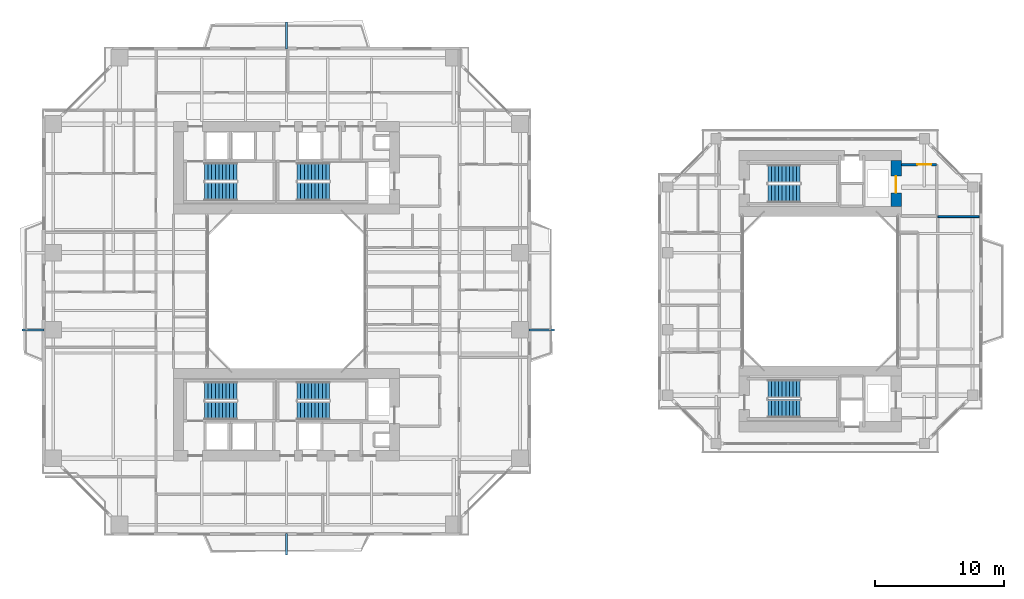
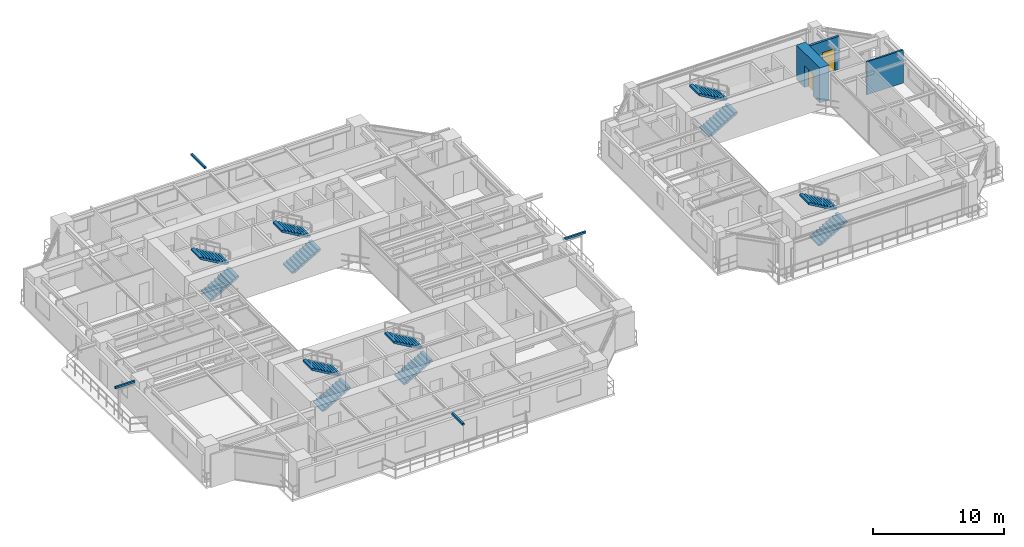
# One storey, part 19 of 23: 12 stair flights, 4 discrete accessories, 3 walls, 2 doors, 2 openings, 6 elements without a shape of their own.
"""IFC4 building model written with IfcOpenShell, lengths in metres."""

from ifc_helpers import new_model, si_unit, direction, frame, frame_2d, origin, origin_2d, place, context, subcontext, project, spatial, polyline, rectangle, outline, extrude, source, transform, mapped, material, layer, layer_set, type_object, element, fill, aggregate, save


model = new_model("IFC4")

# Units and contexts
model_context = context("Model", 3, precision=1e-05, world=origin(), true_north=direction((0.0, 1.0)))
body_context = subcontext(model_context, "Body", "Model", "MODEL_VIEW")
ifc_project = project(units=[si_unit("LENGTHUNIT", "METRE"), si_unit("AREAUNIT", "SQUARE_METRE"), si_unit("VOLUMEUNIT", "CUBIC_METRE"), si_unit("PLANEANGLEUNIT", "RADIAN"), si_unit("MASSUNIT", "GRAM", prefix="KILO"), si_unit("THERMODYNAMICTEMPERATUREUNIT", "KELVIN"), si_unit("POWERUNIT", "WATT")], contexts=[model_context])

# Site, building, storey
site_placement = place(None, origin())
site = spatial("IfcSite", under=ifc_project, at=site_placement, CompositionType="ELEMENT")
building_placement = place(site_placement, origin())
building = spatial("IfcBuilding", under=site, at=building_placement, Name="Qiaomeng Ring Towers", CompositionType="ELEMENT")
storey_placement = place(building_placement, frame((0.0, 0.0, 79.5)))
storey = spatial("IfcBuildingStorey", under=building, at=storey_placement, Name="L22", CompositionType="ELEMENT", Elevation=79.5)

# Wall, opening, door
ifc_material_1 = material(Name="Autoclaved aerated concrete block", Category="concrete")
ifc_layer_1 = layer(ifc_material_1, 0.199951171875, Name="Autoclaved aerated concrete block")
ifc_layer_set_1 = layer_set([ifc_layer_1], Name="Autoclaved aerated concrete block")
wall_type_1 = type_object("IfcWallType", Name="ARC-WL-PW1", PredefinedType="PARTITIONING", material=ifc_layer_set_1)
wall_1_placement = place(storey_placement, frame((66.800048828125, 32.85009765625, 0.0), z_axis=(0.0, 0.0, 1.0), x_axis=(1.0, 0.0, 0.0)))
wall_1 = element("IfcWall", 1, at=wall_1_placement, inside=storey, type_object=wall_type_1, Name="L22 Interior Wall PW1", PredefinedType="PARTITIONING", context=body_context, shape_type="SweptSolid", body=[
    extrude(rectangle(XDim=2.75, YDim=0.199951171875, at=frame_2d((1.375, 0.0))), origin(), (0.0, 0.0, 1.0), 3.070068359375),
])
opening_1_placement = place(wall_1_placement, frame((1.25, 0.0, 0.0)))
opening_1 = element("IfcOpeningElement", 2, at=opening_1_placement, cuts=wall_1, Name="Opening FD3", PredefinedType="OPENING", context=body_context, shape_type="SweptSolid", body=[
    extrude(rectangle(XDim=1.10009765625, YDim=2.050048828125, at=frame_2d((0.550048828125, 1.02490234375))), frame((0.0, 0.10986328125, 0.0), z_axis=(0.0, -1.0, 0.0), x_axis=(1.0, 0.0, 0.0)), (0.0, 0.0, 1.0), 0.219970703125),
])
ifc_material_2 = material(Name="Galvanised steel", Category="steel")
door_type_1 = type_object("IfcDoorType", Name="ARC-DR-FD3", OperationType="NOTDEFINED", PredefinedType="DOOR", material=ifc_material_2)
shared_shape_1 = source(origin(), body_context, "Body", "SweptSolid", [
    extrude(rectangle(XDim=1.10009765625, YDim=2.050048828125, at=frame_2d((0.550048828125, 1.02490234375))), frame((0.0, 0.02490234375, 0.0), z_axis=(0.0, -1.0, 0.0), x_axis=(1.0, 0.0, 0.0)), (0.0, 0.0, 1.0), 0.050048828125),
])
door_1_placement = place(opening_1_placement, origin())
door_1 = element("IfcDoor", 3, at=door_1_placement, inside=storey, type_object=door_type_1, Name="L22 Door FD3", OperationType="SINGLE_SWING_LEFT", OverallHeight=2.050048828125, OverallWidth=1.10009765625, PredefinedType="DOOR", context=body_context, shape_type="MappedRepresentation", body=[
    mapped(shared_shape_1, transform((0.0, 0.0, 0.0), x_axis=(1.0, 0.0, 0.0), y_axis=(0.0, 1.0, 0.0), z_axis=(0.0, 0.0, 1.0), scale=1.0)),
])
fill(opening_1, door_1)

# Wall
ifc_material_3 = material(Name="Gypsum fireboard steel-stud partition", Category="steel")
ifc_layer_2 = layer(ifc_material_3, 0.14990234375, Name="Gypsum fireboard steel-stud partition")
ifc_layer_set_2 = layer_set([ifc_layer_2], Name="Gypsum fireboard steel-stud partition")
wall_type_2 = type_object("IfcWallType", Name="ARC-WL-PW3", PredefinedType="PARTITIONING", material=ifc_layer_set_2)
wall_2_placement = place(storey_placement, frame((69.64990234375, 28.800048828125, 0.0), z_axis=(0.0, 0.0, 1.0), x_axis=(1.0, 0.0, 0.0)))
element("IfcWall", 4, at=wall_2_placement, inside=storey, type_object=wall_type_2, Name="L22 Interior Wall PW3", PredefinedType="PARTITIONING", context=body_context, shape_type="SweptSolid", body=[
    extrude(rectangle(XDim=3.2001953125, YDim=0.14990234375, at=frame_2d((1.60009765625, 0.0))), origin(), (0.0, 0.0, 1.0), 3.070068359375),
])

# Wall, opening, door
ifc_material_4 = material(Name="Concrete C60", Category="concrete")
ifc_layer_3 = layer(ifc_material_4, 0.800048828125, Name="Concrete C60")
ifc_layer_set_3 = layer_set([ifc_layer_3], Name="Concrete C60")
wall_type_3 = type_object("IfcWallType", Name="STR-WL-SW1", PredefinedType="SHEAR", material=ifc_layer_set_3)
wall_3_placement = place(storey_placement, frame((66.39990234375, 29.60009765625, 0.0), z_axis=(0.0, 0.0, 1.0), x_axis=(0.0, 1.0, 0.0)))
wall_3 = element("IfcWall", 5, at=wall_3_placement, inside=storey, type_object=wall_type_3, Name="L22 T2NC east core shear wall", PredefinedType="SHEAR", context=body_context, shape_type="SweptSolid", body=[
    extrude(rectangle(XDim=3.5498046875, YDim=0.800048828125, at=frame_2d((1.77490234375, 0.0))), origin(), (0.0, 0.0, 1.0), 3.25),
])
opening_2_placement = place(wall_3_placement, frame((1.050048828125, 0.0, 0.0)))
opening_2 = element("IfcOpeningElement", 6, at=opening_2_placement, cuts=wall_3, Name="Opening LD2", PredefinedType="OPENING", context=body_context, shape_type="SweptSolid", body=[
    extrude(rectangle(XDim=1.300048828125, YDim=2.050048828125, at=frame_2d((0.64990234375, 1.02490234375))), frame((0.0, 0.409912109375, 0.0), z_axis=(0.0, -1.0, 0.0), x_axis=(1.0, 0.0, 0.0)), (0.0, 0.0, 1.0), 0.820068359375),
])
ifc_material_5 = material(Name="Stainless steel 316", Category="steel")
door_type_2 = type_object("IfcDoorType", Name="ARC-DR-LD2", OperationType="NOTDEFINED", PredefinedType="DOOR", material=ifc_material_5)
shared_shape_2 = source(origin(), body_context, "Body", "SweptSolid", [
    extrude(rectangle(XDim=1.300048828125, YDim=2.050048828125, at=frame_2d((0.64990234375, 1.02490234375))), frame((0.0, 0.02490234375, 0.0), z_axis=(0.0, -1.0, 0.0), x_axis=(1.0, 0.0, 0.0)), (0.0, 0.0, 1.0), 0.050048828125),
])
door_2_placement = place(opening_2_placement, origin())
door_2 = element("IfcDoor", 7, at=door_2_placement, inside=storey, type_object=door_type_2, Name="L22 Firefighting Lift FL3 Landing Door", OperationType="SLIDING_TO_LEFT", OverallHeight=2.050048828125, OverallWidth=1.300048828125, PredefinedType="DOOR", context=body_context, shape_type="MappedRepresentation", body=[
    mapped(shared_shape_2, transform((0.0, 0.0, 0.0), x_axis=(1.0, 0.0, 0.0), y_axis=(0.0, 1.0, 0.0), z_axis=(0.0, 0.0, 1.0), scale=1.0)),
])
fill(opening_2, door_2)

# Stair, stair flights
ifc_material_6 = material(Name="Precast concrete C40", Category="concrete")
stair_type = type_object("IfcStairType", Name="ARC-ST-325", PredefinedType="HALF_TURN_STAIR", material=ifc_material_6)
stair_1_placement = place(storey_placement, origin())
stair_1 = element("IfcStair", 8, at=stair_1_placement, inside=storey, type_object=stair_type, Name="L22 Tower 1 North Stair 1", PredefinedType="HALF_TURN_STAIR")
stair_flight_type = type_object("IfcStairFlightType", Name="ARC-ST-325-FL", PredefinedType="STRAIGHT", material=ifc_material_6)
shared_shape_3 = source(origin(), body_context, "Body", "SweptSolid", [
    extrude(outline(polyline([(0.0, 0.0), (0.0, 0.16259765625), (0.280029296875, 0.16259765625), (0.280029296875, 0.324951171875), (0.56005859375, 0.324951171875), (0.56005859375, 0.487548828125), (0.840087890625, 0.487548828125), (0.840087890625, 0.64990234375), (1.1201171875, 0.64990234375), (1.1201171875, 0.8125), (1.39990234375, 0.8125), (1.39990234375, 0.97509765625), (1.679931640625, 0.97509765625), (1.679931640625, 1.137451171875), (1.9599609375, 1.137451171875), (1.9599609375, 1.300048828125), (2.239990234375, 1.300048828125), (2.239990234375, 1.46240234375), (2.52001953125, 1.46240234375), (2.52001953125, 1.625), (2.52001953125, 1.2890625), (0.298583984375, 0.0), (0.0, 0.0)])), frame((0.0, 0.699951171875, 0.0), z_axis=(0.0, -1.0, 0.0), x_axis=(1.0, 0.0, 0.0)), (0.0, 0.0, 1.0), 1.39990234375),
])
stair_flight_1_placement = place(storey_placement, frame((12.6201171875, 30.75, 0.0), z_axis=(0.0, 0.0, 1.0), x_axis=(1.0, 0.0, 0.0)))
stair_flight_1 = element("IfcStairFlight", 9, at=stair_flight_1_placement, type_object=stair_flight_type, Name="ST1 flight 1", NumberOfRisers=10, NumberOfTreads=9, PredefinedType="STRAIGHT", RiserHeight=0.1625, TreadLength=0.28, context=body_context, shape_type="MappedRepresentation", body=[
    mapped(shared_shape_3, transform((0.0, 0.0, 0.0), x_axis=(1.0, 0.0, 0.0), y_axis=(0.0, 1.0, 0.0), z_axis=(0.0, 0.0, 1.0), scale=1.0)),
])
stair_flight_2_placement = place(storey_placement, frame((15.139892578125, 32.2900390625, 1.625), z_axis=(0.0, 0.0, 1.0), x_axis=(-1.0, 0.0, 0.0)))
stair_flight_2 = element("IfcStairFlight", 10, at=stair_flight_2_placement, type_object=stair_flight_type, Name="ST1 flight 2", NumberOfRisers=10, NumberOfTreads=9, PredefinedType="STRAIGHT", RiserHeight=0.1625, TreadLength=0.28, context=body_context, shape_type="MappedRepresentation", body=[
    mapped(shared_shape_3, transform((0.0, 0.0, 0.0), x_axis=(1.0, 0.0, 0.0), y_axis=(0.0, 1.0, 0.0), z_axis=(0.0, 0.0, 1.0), scale=1.0)),
])
aggregate(stair_1, [stair_flight_1, stair_flight_2])

stair_2_placement = place(storey_placement, origin())
stair_2 = element("IfcStair", 11, at=stair_2_placement, inside=storey, type_object=stair_type, Name="L22 Tower 1 North Stair 2", PredefinedType="HALF_TURN_STAIR")
stair_flight_3_placement = place(storey_placement, frame((19.820068359375, 30.75, 0.0), z_axis=(0.0, 0.0, 1.0), x_axis=(1.0, 0.0, 0.0)))
stair_flight_3 = element("IfcStairFlight", 12, at=stair_flight_3_placement, type_object=stair_flight_type, Name="ST2 flight 1", NumberOfRisers=10, NumberOfTreads=9, PredefinedType="STRAIGHT", RiserHeight=0.1625, TreadLength=0.28, context=body_context, shape_type="MappedRepresentation", body=[
    mapped(shared_shape_3, transform((0.0, 0.0, 0.0), x_axis=(1.0, 0.0, 0.0), y_axis=(0.0, 1.0, 0.0), z_axis=(0.0, 0.0, 1.0), scale=1.0)),
])
stair_flight_4_placement = place(storey_placement, frame((22.340087890625, 32.2900390625, 1.625), z_axis=(0.0, 0.0, 1.0), x_axis=(-1.0, 0.0, 0.0)))
stair_flight_4 = element("IfcStairFlight", 13, at=stair_flight_4_placement, type_object=stair_flight_type, Name="ST2 flight 2", NumberOfRisers=10, NumberOfTreads=9, PredefinedType="STRAIGHT", RiserHeight=0.1625, TreadLength=0.28, context=body_context, shape_type="MappedRepresentation", body=[
    mapped(shared_shape_3, transform((0.0, 0.0, 0.0), x_axis=(1.0, 0.0, 0.0), y_axis=(0.0, 1.0, 0.0), z_axis=(0.0, 0.0, 1.0), scale=1.0)),
])
aggregate(stair_2, [stair_flight_3, stair_flight_4])

stair_3_placement = place(storey_placement, origin())
stair_3 = element("IfcStair", 14, at=stair_3_placement, inside=storey, type_object=stair_type, Name="L22 Tower 1 South Stair 3", PredefinedType="HALF_TURN_STAIR")
stair_flight_5_placement = place(storey_placement, frame((12.6201171875, 13.7099609375, 0.0), z_axis=(0.0, 0.0, 1.0), x_axis=(1.0, 0.0, 0.0)))
stair_flight_5 = element("IfcStairFlight", 15, at=stair_flight_5_placement, type_object=stair_flight_type, Name="ST3 flight 1", NumberOfRisers=10, NumberOfTreads=9, PredefinedType="STRAIGHT", RiserHeight=0.1625, TreadLength=0.28, context=body_context, shape_type="MappedRepresentation", body=[
    mapped(shared_shape_3, transform((0.0, 0.0, 0.0), x_axis=(1.0, 0.0, 0.0), y_axis=(0.0, 1.0, 0.0), z_axis=(0.0, 0.0, 1.0), scale=1.0)),
])
stair_flight_6_placement = place(storey_placement, frame((15.139892578125, 15.25, 1.625), z_axis=(0.0, 0.0, 1.0), x_axis=(-1.0, 0.0, 0.0)))
stair_flight_6 = element("IfcStairFlight", 16, at=stair_flight_6_placement, type_object=stair_flight_type, Name="ST3 flight 2", NumberOfRisers=10, NumberOfTreads=9, PredefinedType="STRAIGHT", RiserHeight=0.1625, TreadLength=0.28, context=body_context, shape_type="MappedRepresentation", body=[
    mapped(shared_shape_3, transform((0.0, 0.0, 0.0), x_axis=(1.0, 0.0, 0.0), y_axis=(0.0, 1.0, 0.0), z_axis=(0.0, 0.0, 1.0), scale=1.0)),
])
aggregate(stair_3, [stair_flight_5, stair_flight_6])

stair_4_placement = place(storey_placement, origin())
stair_4 = element("IfcStair", 17, at=stair_4_placement, inside=storey, type_object=stair_type, Name="L22 Tower 1 South Stair 4", PredefinedType="HALF_TURN_STAIR")
stair_flight_7_placement = place(storey_placement, frame((19.820068359375, 13.7099609375, 0.0), z_axis=(0.0, 0.0, 1.0), x_axis=(1.0, 0.0, 0.0)))
stair_flight_7 = element("IfcStairFlight", 18, at=stair_flight_7_placement, type_object=stair_flight_type, Name="ST4 flight 1", NumberOfRisers=10, NumberOfTreads=9, PredefinedType="STRAIGHT", RiserHeight=0.1625, TreadLength=0.28, context=body_context, shape_type="MappedRepresentation", body=[
    mapped(shared_shape_3, transform((0.0, 0.0, 0.0), x_axis=(1.0, 0.0, 0.0), y_axis=(0.0, 1.0, 0.0), z_axis=(0.0, 0.0, 1.0), scale=1.0)),
])
stair_flight_8_placement = place(storey_placement, frame((22.340087890625, 15.25, 1.625), z_axis=(0.0, 0.0, 1.0), x_axis=(-1.0, 0.0, 0.0)))
stair_flight_8 = element("IfcStairFlight", 19, at=stair_flight_8_placement, type_object=stair_flight_type, Name="ST4 flight 2", NumberOfRisers=10, NumberOfTreads=9, PredefinedType="STRAIGHT", RiserHeight=0.1625, TreadLength=0.28, context=body_context, shape_type="MappedRepresentation", body=[
    mapped(shared_shape_3, transform((0.0, 0.0, 0.0), x_axis=(1.0, 0.0, 0.0), y_axis=(0.0, 1.0, 0.0), z_axis=(0.0, 0.0, 1.0), scale=1.0)),
])
aggregate(stair_4, [stair_flight_7, stair_flight_8])

stair_5_placement = place(storey_placement, origin())
stair_5 = element("IfcStair", 20, at=stair_5_placement, inside=storey, type_object=stair_type, Name="L22 Companion North Stair 5", PredefinedType="HALF_TURN_STAIR")
stair_flight_9_placement = place(storey_placement, frame((56.419921875, 30.60009765625, 0.0), z_axis=(0.0, 0.0, 1.0), x_axis=(1.0, 0.0, 0.0)))
stair_flight_9 = element("IfcStairFlight", 21, at=stair_flight_9_placement, type_object=stair_flight_type, Name="ST5 flight 1", NumberOfRisers=10, NumberOfTreads=9, PredefinedType="STRAIGHT", RiserHeight=0.1625, TreadLength=0.28, context=body_context, shape_type="MappedRepresentation", body=[
    mapped(shared_shape_3, transform((0.0, 0.0, 0.0), x_axis=(1.0, 0.0, 0.0), y_axis=(0.0, 1.0, 0.0), z_axis=(0.0, 0.0, 1.0), scale=1.0)),
])
stair_flight_10_placement = place(storey_placement, frame((58.93994140625, 32.139892578125, 1.625), z_axis=(0.0, 0.0, 1.0), x_axis=(-1.0, 0.0, 0.0)))
stair_flight_10 = element("IfcStairFlight", 22, at=stair_flight_10_placement, type_object=stair_flight_type, Name="ST5 flight 2", NumberOfRisers=10, NumberOfTreads=9, PredefinedType="STRAIGHT", RiserHeight=0.1625, TreadLength=0.28, context=body_context, shape_type="MappedRepresentation", body=[
    mapped(shared_shape_3, transform((0.0, 0.0, 0.0), x_axis=(1.0, 0.0, 0.0), y_axis=(0.0, 1.0, 0.0), z_axis=(0.0, 0.0, 1.0), scale=1.0)),
])
aggregate(stair_5, [stair_flight_9, stair_flight_10])

stair_6_placement = place(storey_placement, origin())
stair_6 = element("IfcStair", 23, at=stair_6_placement, inside=storey, type_object=stair_type, Name="L22 Companion South Stair 6", PredefinedType="HALF_TURN_STAIR")
stair_flight_11_placement = place(storey_placement, frame((56.419921875, 13.860107421875, 0.0), z_axis=(0.0, 0.0, 1.0), x_axis=(1.0, 0.0, 0.0)))
stair_flight_11 = element("IfcStairFlight", 24, at=stair_flight_11_placement, type_object=stair_flight_type, Name="ST6 flight 1", NumberOfRisers=10, NumberOfTreads=9, PredefinedType="STRAIGHT", RiserHeight=0.1625, TreadLength=0.28, context=body_context, shape_type="MappedRepresentation", body=[
    mapped(shared_shape_3, transform((0.0, 0.0, 0.0), x_axis=(1.0, 0.0, 0.0), y_axis=(0.0, 1.0, 0.0), z_axis=(0.0, 0.0, 1.0), scale=1.0)),
])
stair_flight_12_placement = place(storey_placement, frame((58.93994140625, 15.39990234375, 1.625), z_axis=(0.0, 0.0, 1.0), x_axis=(-1.0, 0.0, 0.0)))
stair_flight_12 = element("IfcStairFlight", 25, at=stair_flight_12_placement, type_object=stair_flight_type, Name="ST6 flight 2", NumberOfRisers=10, NumberOfTreads=9, PredefinedType="STRAIGHT", RiserHeight=0.1625, TreadLength=0.28, context=body_context, shape_type="MappedRepresentation", body=[
    mapped(shared_shape_3, transform((0.0, 0.0, 0.0), x_axis=(1.0, 0.0, 0.0), y_axis=(0.0, 1.0, 0.0), z_axis=(0.0, 0.0, 1.0), scale=1.0)),
])
aggregate(stair_6, [stair_flight_11, stair_flight_12])

# Discrete accessories
discrete_accessory_type = type_object("IfcDiscreteAccessoryType", Name="ARC-ACC-BRACKET", PredefinedType="BRACKET", material=ifc_material_5)
shared_shape_4 = source(origin(), body_context, "Body", "SweptSolid", [
    extrude(rectangle(XDim=0.159912109375, YDim=1.64990234375, at=origin_2d()), origin(), (0.0, 0.0, 1.0), 0.179931640625),
])
discrete_accessory_1_placement = place(storey_placement, frame((19.0, 3.324951171875, 2.89990234375), z_axis=(0.0, 0.0, 1.0), x_axis=(1.0, 0.0, 0.0)))
element("IfcDiscreteAccessory", 26, at=discrete_accessory_1_placement, inside=storey, type_object=discrete_accessory_type, Name="L22 Stainless Outer-Skin Tie Bracket S", PredefinedType="BRACKET", context=body_context, shape_type="MappedRepresentation", body=[
    mapped(shared_shape_4, transform((0.0, 0.0, 0.0), x_axis=(1.0, 0.0, 0.0), y_axis=(0.0, 1.0, 0.0), z_axis=(0.0, 0.0, 1.0), scale=1.0)),
])
shared_shape_5 = source(origin(), body_context, "Body", "SweptSolid", [
    extrude(rectangle(XDim=1.989990234375, YDim=0.159912109375, at=origin_2d()), origin(), (0.0, 0.0, 1.0), 0.179931640625),
])
discrete_accessory_2_placement = place(storey_placement, frame((38.844970703125, 20.0, 2.89990234375), z_axis=(0.0, 0.0, 1.0), x_axis=(1.0, 0.0, 0.0)))
element("IfcDiscreteAccessory", 27, at=discrete_accessory_2_placement, inside=storey, type_object=discrete_accessory_type, Name="L22 Stainless Outer-Skin Tie Bracket E", PredefinedType="BRACKET", context=body_context, shape_type="MappedRepresentation", body=[
    mapped(shared_shape_5, transform((0.0, 0.0, 0.0), x_axis=(1.0, 0.0, 0.0), y_axis=(0.0, 1.0, 0.0), z_axis=(0.0, 0.0, 1.0), scale=1.0)),
])
shared_shape_6 = source(origin(), body_context, "Body", "SweptSolid", [
    extrude(rectangle(XDim=0.159912109375, YDim=2.090087890625, at=origin_2d()), origin(), (0.0, 0.0, 1.0), 0.179931640625),
])
discrete_accessory_3_placement = place(storey_placement, frame((19.0, 42.89501953125, 2.89990234375), z_axis=(0.0, 0.0, 1.0), x_axis=(1.0, 0.0, 0.0)))
element("IfcDiscreteAccessory", 28, at=discrete_accessory_3_placement, inside=storey, type_object=discrete_accessory_type, Name="L22 Stainless Outer-Skin Tie Bracket N", PredefinedType="BRACKET", context=body_context, shape_type="MappedRepresentation", body=[
    mapped(shared_shape_6, transform((0.0, 0.0, 0.0), x_axis=(1.0, 0.0, 0.0), y_axis=(0.0, 1.0, 0.0), z_axis=(0.0, 0.0, 1.0), scale=1.0)),
])
shared_shape_7 = source(origin(), body_context, "Body", "SweptSolid", [
    extrude(rectangle(XDim=1.72998046875, YDim=0.159912109375, at=origin_2d()), origin(), (0.0, 0.0, 1.0), 0.179931640625),
])
discrete_accessory_4_placement = place(storey_placement, frame((-0.715087890625, 20.0, 2.89990234375), z_axis=(0.0, 0.0, 1.0), x_axis=(1.0, 0.0, 0.0)))
element("IfcDiscreteAccessory", 29, at=discrete_accessory_4_placement, inside=storey, type_object=discrete_accessory_type, Name="L22 Stainless Outer-Skin Tie Bracket W", PredefinedType="BRACKET", context=body_context, shape_type="MappedRepresentation", body=[
    mapped(shared_shape_7, transform((0.0, 0.0, 0.0), x_axis=(1.0, 0.0, 0.0), y_axis=(0.0, 1.0, 0.0), z_axis=(0.0, 0.0, 1.0), scale=1.0)),
])

save(model, "model.ifc")
